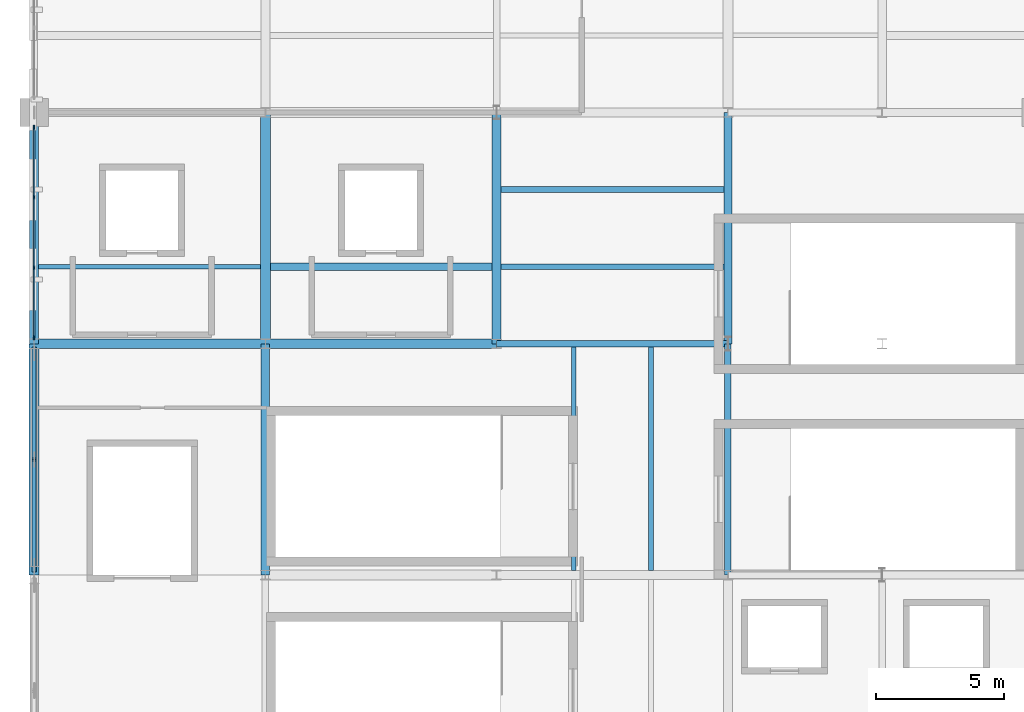
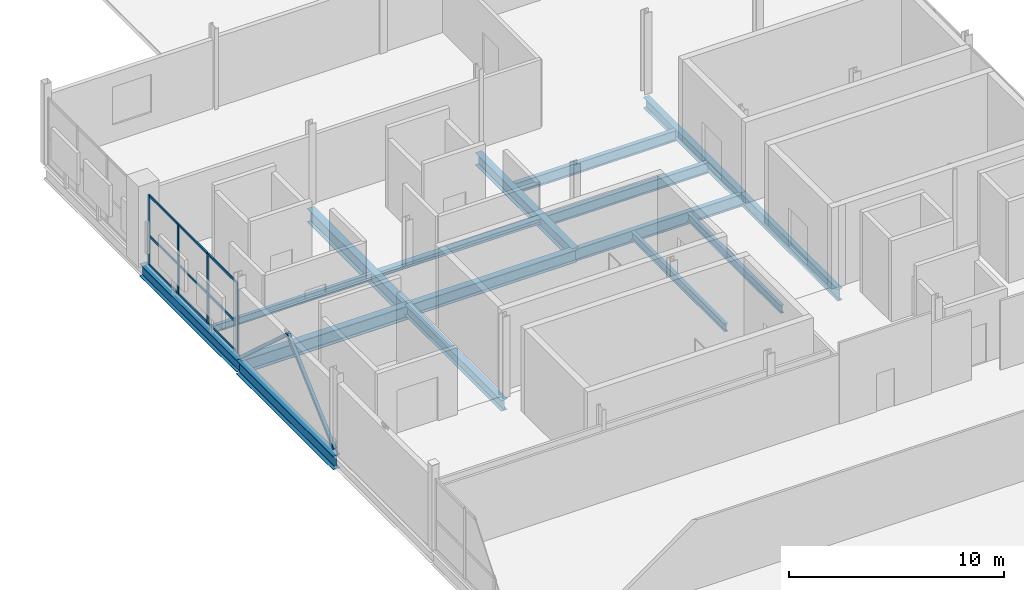
# One storey, part 17 of 29: 16 beams, 15 members, 1 element without a shape of its own.
"""IFC4 building model written with IfcOpenShell, lengths in metres."""

import ifcopenshell
import ifcopenshell.guid

model = None  # the IFC model being written
_history = None  # IfcOwnerHistory: only IFC2X3 demands one
_inside = {}  # id of a spatial element -> (the spatial element, [elements in it])
_under = {}  # id of a project, library or spatial element -> (it, [spatial elements below it])
_declared = {}  # id of a project -> (the project, [libraries it declares])
_typed = {}  # id of a type object -> (the type object, [elements of that type])
_made_of = {}  # id of a material, layer set ... -> (it, [elements and type objects made of it])


def new_model(schema):
    """Start an empty IFC model of exactly this schema.

    Asked for "IFC4X3", IfcOpenShell would pick the latest addendum, in which some entities
    have other attributes; the version numbers below select the first issue.
    IFC2X3 requires an IfcOwnerHistory on every rooted entity: one is made here for all.
    """
    global model, _history
    if schema == "IFC4X3":
        model = ifcopenshell.file(schema_version=(4, 3, 0, 0))
    else:
        model = ifcopenshell.file(schema=schema)
    _inside.clear()
    _under.clear()
    _declared.clear()
    _typed.clear()
    _made_of.clear()
    _history = None
    if model.schema == "IFC2X3":
        org = make("IfcOrganization", Name="unknown")
        user = make(
            "IfcPersonAndOrganization",
            ThePerson=make("IfcPerson", FamilyName="unknown"),
            TheOrganization=org,
        )
        app = make(
            "IfcApplication",
            ApplicationDeveloper=org,
            Version="unknown",
            ApplicationFullName="unknown",
            ApplicationIdentifier="unknown",
        )
        _history = make(
            "IfcOwnerHistory",
            OwningUser=user,
            OwningApplication=app,
            ChangeAction="ADDED",
            CreationDate=0,
        )
    return model


def make(cls, **values):
    """One entity of the class cls with the attributes given. An attribute that is None is left unset."""
    return model.create_entity(
        cls, **{name: value for name, value in values.items() if value is not None}
    )


def rooted(cls, **values):
    """An entity with a GlobalId (a new one), such as an element, a storey or a relation."""
    return make(cls, GlobalId=ifcopenshell.guid.new(), OwnerHistory=_history, **values)


def si_unit(unit_type, name, prefix=None):
    """IfcSIUnit, for example si_unit("LENGTHUNIT", "METRE", prefix="MILLI")."""
    return make("IfcSIUnit", UnitType=unit_type, Prefix=prefix, Name=name)


def assignment(units):
    """IfcUnitAssignment: the units of a project."""
    return None if units is None else make("IfcUnitAssignment", Units=units)


def point(xyz):
    """IfcCartesianPoint."""
    return None if xyz is None else make("IfcCartesianPoint", Coordinates=xyz)


def direction(xyz):
    """IfcDirection."""
    return None if xyz is None else make("IfcDirection", DirectionRatios=xyz)


def frame(location, z_axis=None, x_axis=None):
    """IfcAxis2Placement3D, a coordinate frame: its origin and axes. An axis left out is left unset."""
    return make(
        "IfcAxis2Placement3D",
        Location=point(location),
        Axis=direction(z_axis),
        RefDirection=direction(x_axis),
    )


def frame_2d(location, x_axis=None):
    """IfcAxis2Placement2D, a coordinate frame in the plane: its origin and x axis."""
    return make(
        "IfcAxis2Placement2D", Location=point(location), RefDirection=direction(x_axis)
    )


def origin():
    """The frame at (0, 0, 0) with its axes left unset."""
    return frame((0.0, 0.0, 0.0))


def origin_2d():
    """The frame at (0, 0) in the plane with its x axis left unset."""
    return frame_2d((0.0, 0.0))


def place(relative_to, where):
    """IfcLocalPlacement: puts the frame where relative to a parent placement (None: the world)."""
    return make(
        "IfcLocalPlacement", PlacementRelTo=relative_to, RelativePlacement=where
    )


def context(
    kind, dimensions, precision=None, world=None, true_north=None, identifier=None
):
    """IfcGeometricRepresentationContext, for example the 3D "Model" context."""
    return make(
        "IfcGeometricRepresentationContext",
        ContextIdentifier=identifier,
        ContextType=kind,
        CoordinateSpaceDimension=dimensions,
        Precision=precision,
        WorldCoordinateSystem=world,
        TrueNorth=true_north,
    )


def subcontext(parent, identifier, kind, view, scale=None):
    """IfcGeometricRepresentationSubContext, for example "Body" below "Model"."""
    return make(
        "IfcGeometricRepresentationSubContext",
        ContextIdentifier=identifier,
        ContextType=kind,
        ParentContext=parent,
        TargetScale=scale,
        TargetView=view,
    )


def project(units=None, contexts=None):
    """IfcProject with its units and contexts."""
    return rooted(
        "IfcProject",
        Name="project",
        RepresentationContexts=contexts,
        UnitsInContext=assignment(units),
    )


def spatial(cls, under=None, at=None, **own):
    """A site, building, storey or space (cls), placed at a placement, below another one or the project."""
    s = rooted(cls, ObjectPlacement=at, **own)
    if under is not None:
        _under.setdefault(under.id(), (under, []))[1].append(s)
    return s


def profile(cls, at=None, kind="AREA", **sizes):
    """A parametric profile (cls). Its sizes go by their IFC names, for example OverallWidth=200.0."""
    return make(cls, ProfileType=kind, Position=at, **sizes)


def rectangle(**sizes):
    """IfcRectangleProfileDef."""
    return profile("IfcRectangleProfileDef", **sizes)


def hollow_rectangle(**sizes):
    """IfcRectangleHollowProfileDef."""
    return profile("IfcRectangleHollowProfileDef", **sizes)


def i_section(**sizes):
    """IfcIShapeProfileDef."""
    return profile("IfcIShapeProfileDef", **sizes)


def extrude(swept, where, along, depth):
    """IfcExtrudedAreaSolid: the profile swept, set in the frame where, extruded along a direction by depth."""
    return make(
        "IfcExtrudedAreaSolid",
        SweptArea=swept,
        Position=where,
        ExtrudedDirection=direction(along),
        Depth=depth,
    )


def shape(context_of_items, identifier, shape_type, items):
    """IfcShapeRepresentation: the items that make up one representation, for example the "Body"."""
    return make(
        "IfcShapeRepresentation",
        ContextOfItems=context_of_items,
        RepresentationIdentifier=identifier,
        RepresentationType=shape_type,
        Items=items,
    )


def material(Name=None, Category=None):
    """IfcMaterial."""
    return make("IfcMaterial", Name=Name, Category=Category)


def layer(
    of_material, thickness, ventilated=None, Name=None, Category=None, Priority=None
):
    """IfcMaterialLayer: one layer of a wall or slab, of a material (None: an air gap)."""
    return make(
        "IfcMaterialLayer",
        Material=of_material,
        LayerThickness=thickness,
        IsVentilated=ventilated,
        Name=Name,
        Category=Category,
        Priority=Priority,
    )


def layer_set(layers, Name=None):
    """IfcMaterialLayerSet."""
    return make("IfcMaterialLayerSet", MaterialLayers=layers, LayerSetName=Name)


def material_profile(
    of_material, cross_section, Name=None, Category=None, Priority=None
):
    """IfcMaterialProfile: a cross section and its material."""
    return make(
        "IfcMaterialProfile",
        Name=Name,
        Material=of_material,
        Profile=cross_section,
        Priority=Priority,
        Category=Category,
    )


def profile_set(profiles, Name=None, composite=None):
    """IfcMaterialProfileSet."""
    return make(
        "IfcMaterialProfileSet",
        Name=Name,
        MaterialProfiles=profiles,
        CompositeProfile=composite,
    )


def made_of(thing, what):
    """Note that an element or type object is made of a material, layer set ...; save() writes the relation."""
    if what is not None:
        _made_of.setdefault(what.id(), (what, []))[1].append(thing)
    return thing


def type_object(cls, material=None, **own):
    """A type object (cls), such as IfcWallType, which elements share."""
    return made_of(rooted(cls, **own), material)


def element(
    cls,
    number,
    at=None,
    inside=None,
    cuts=None,
    type_object=None,
    material=None,
    context=None,
    identifier="Body",
    shape_type=None,
    held_by="IfcProductDefinitionShape",
    body=None,
    shapes=None,
    **own,
):
    """One element of the class cls, such as IfcWall. Its Tag is "e" and its number.

    at: its placement. inside: the storey or other place that contains it. cuts: it is an
    opening in that element (IfcRelVoidsElement). A single representation is given by context,
    identifier, shape_type and body (its items); several are given by shapes. held_by: the class
    of the entity that holds the representations. save() writes the other relations.
    """
    e = rooted(cls, Tag="e%d" % number, ObjectPlacement=at, **own)
    if body is not None:
        shapes = [shape(context, identifier, shape_type, body)]
    if shapes is not None:
        e.Representation = make(held_by, Representations=shapes)
    if inside is not None:
        _inside.setdefault(inside.id(), (inside, []))[1].append(e)
    if cuts is not None:
        rooted(
            "IfcRelVoidsElement", RelatingBuildingElement=cuts, RelatedOpeningElement=e
        )
    if type_object is not None:
        _typed.setdefault(type_object.id(), (type_object, []))[1].append(e)
    return made_of(e, material)


def aggregate(whole, parts):
    """IfcRelAggregates: a whole, such as a stair, and the parts it consists of."""
    return rooted("IfcRelAggregates", RelatingObject=whole, RelatedObjects=parts)


def save(model, path):
    """Write the relations noted so far, then the file.

    IfcRelAggregates (storeys below a building ...), IfcRelContainedInSpatialStructure (elements
    in a storey), IfcRelDefinesByType, IfcRelAssociatesMaterial and IfcRelDeclares: one each for
    every whole, place, type object, material and project.
    """
    for whole, parts in _under.values():
        aggregate(whole, parts)
    for where, things in _inside.values():
        rooted(
            "IfcRelContainedInSpatialStructure",
            RelatedElements=things,
            RelatingStructure=where,
        )
    for kind, things in _typed.values():
        rooted("IfcRelDefinesByType", RelatedObjects=things, RelatingType=kind)
    for what, things in _made_of.values():
        rooted("IfcRelAssociatesMaterial", RelatedObjects=things, RelatingMaterial=what)
    for by, libraries in _declared.values():
        rooted("IfcRelDeclares", RelatingContext=by, RelatedDefinitions=libraries)
    model.write(path)


model = new_model("IFC4")

# Units and contexts
model_context = context("Model", 3, precision=1e-05, world=origin(), true_north=direction((0.0, 1.0)))
body_context = subcontext(model_context, "Body", "Model", "MODEL_VIEW")
ifc_project = project(units=[si_unit("LENGTHUNIT", "METRE"), si_unit("AREAUNIT", "SQUARE_METRE"), si_unit("VOLUMEUNIT", "CUBIC_METRE"), si_unit("PLANEANGLEUNIT", "RADIAN"), si_unit("MASSUNIT", "GRAM", prefix="KILO")], contexts=[model_context])

# Site, building, storey
site_placement = place(None, origin())
site = spatial("IfcSite", under=ifc_project, at=site_placement, CompositionType="ELEMENT")
building_placement = place(site_placement, origin())
building = spatial("IfcBuilding", under=site, at=building_placement, Name="Qamarlyn Nura Convention Centre", CompositionType="ELEMENT")
storey_placement = place(building_placement, frame((0.0, 0.0, 25.199951171875)))
storey = spatial("IfcBuildingStorey", under=building, at=storey_placement, Name="L05", CompositionType="ELEMENT", Elevation=25.199951171875)

# Beams
ifc_material_1 = material(Name="Steel ASTM A992", Category="steel")
ifc_material_profile_1 = material_profile(ifc_material_1, i_section(OverallWidth=0.323974609375, OverallDepth=0.611083984375, WebThickness=0.0126953125, FlangeThickness=0.01904296875, FilletRadius=0.01611328125, at=origin_2d()), Name="W610X155")
ifc_profile_set_1 = profile_set([ifc_material_profile_1], Name="Steel ASTM A992")
beam_type_1 = type_object("IfcBeamType", Name="BM-GIRD-610", PredefinedType="BEAM", material=ifc_profile_set_1)
for number, where, z_axis, x_axis, name in (
    (1, (162.0, 63.0, -0.54541015625), (0.0, 1.0, 0.0), (-1.0, 0.0, 0.0), "L05 girder 14 H-J"),
    (2, (180.0, 72.0, -0.54541015625), (0.0, 1.0, 0.0), (-1.0, 0.0, 0.0), "L05 girder 16 J-K"),
):
    element("IfcBeam", number, at=place(storey_placement, frame(where, z_axis=z_axis, x_axis=x_axis)), inside=storey, type_object=beam_type_1, Name=name, PredefinedType="BEAM", context=body_context, shape_type="SweptSolid", body=[
        extrude(i_section(OverallWidth=0.323974609375, OverallDepth=0.611083984375, WebThickness=0.0126953125, FlangeThickness=0.01904296875, FilletRadius=0.01611328125, at=origin_2d()), origin(), (0.0, 0.0, 1.0), 9.0),
    ])
ifc_material_profile_2 = material_profile(ifc_material_1, i_section(OverallWidth=0.35498046875, OverallDepth=0.695068359375, WebThickness=0.015380859375, FlangeThickness=0.02490234375, FilletRadius=0.01806640625, at=origin_2d()), Name="W690X217")
ifc_profile_set_2 = profile_set([ifc_material_profile_2], Name="Steel ASTM A992")
beam_type_2 = type_object("IfcBeamType", Name="BM-GIRD-690A", PredefinedType="BEAM", material=ifc_profile_set_2)
for number, where, z_axis, x_axis, name in (
    (3, (162.0, 72.0, -0.58740234375), (1.0, 0.0, 0.0), (0.0, 1.0, 0.0), "L05 girder J 14-15"),
    (4, (153.0, 72.0, -0.58740234375), (0.0, 1.0, 0.0), (-1.0, 0.0, 0.0), "L05 girder 13 J-K"),
    (5, (171.0, 72.0, -0.58740234375), (0.0, 1.0, 0.0), (-1.0, 0.0, 0.0), "L05 girder 15 J-K"),
):
    element("IfcBeam", number, at=place(storey_placement, frame(where, z_axis=z_axis, x_axis=x_axis)), inside=storey, type_object=beam_type_2, Name=name, PredefinedType="BEAM", context=body_context, shape_type="SweptSolid", body=[
        extrude(i_section(OverallWidth=0.35498046875, OverallDepth=0.695068359375, WebThickness=0.015380859375, FlangeThickness=0.02490234375, FilletRadius=0.01806640625, at=origin_2d()), origin(), (0.0, 0.0, 1.0), 9.0),
    ])
ifc_material_profile_3 = material_profile(ifc_material_1, i_section(OverallWidth=0.25390625, OverallDepth=0.68408203125, WebThickness=0.012451171875, FlangeThickness=0.01904296875, FilletRadius=0.01806640625, at=origin_2d()), Name="W690X140")
ifc_profile_set_3 = profile_set([ifc_material_profile_3], Name="Steel ASTM A992")
beam_type_3 = type_object("IfcBeamType", Name="BM-GIRD-690B", PredefinedType="BEAM", material=ifc_profile_set_3)
for number, where, z_axis, x_axis, name in (
    (6, (171.0, 72.0, -0.58203125), (1.0, 0.0, 0.0), (0.0, 1.0, 0.0), "L05 girder J 15-16"),
    (7, (180.0, 63.0, -0.58203125), (0.0, 1.0, 0.0), (-1.0, 0.0, 0.0), "L05 girder 16 H-J"),
):
    element("IfcBeam", number, at=place(storey_placement, frame(where, z_axis=z_axis, x_axis=x_axis)), inside=storey, type_object=beam_type_3, Name=name, PredefinedType="BEAM", context=body_context, shape_type="SweptSolid", body=[
        extrude(i_section(OverallWidth=0.25390625, OverallDepth=0.68408203125, WebThickness=0.012451171875, FlangeThickness=0.01904296875, FilletRadius=0.01806640625, at=origin_2d()), origin(), (0.0, 0.0, 1.0), 9.0),
    ])
ifc_material_profile_4 = material_profile(ifc_material_1, i_section(OverallWidth=0.381103515625, OverallDepth=0.77294921875, WebThickness=0.0166015625, FlangeThickness=0.027587890625, FilletRadius=0.02001953125, at=origin_2d()), Name="W760X257")
ifc_profile_set_4 = profile_set([ifc_material_profile_4], Name="Steel ASTM A992")
beam_type_4 = type_object("IfcBeamType", Name="BM-GIRD-760", PredefinedType="BEAM", material=ifc_profile_set_4)
for number, where, z_axis, x_axis, name in (
    (8, (153.0, 72.0, -0.62646484375), (1.0, 0.0, 0.0), (0.0, 1.0, 0.0), "L05 girder J 13-14"),
    (9, (153.0, 63.0, -0.62646484375), (0.0, 1.0, 0.0), (-1.0, 0.0, 0.0), "L05 girder 13 H-J"),
    (10, (162.0, 72.0, -0.62646484375), (0.0, 1.0, 0.0), (-1.0, 0.0, 0.0), "L05 girder 14 J-K"),
):
    element("IfcBeam", number, at=place(storey_placement, frame(where, z_axis=z_axis, x_axis=x_axis)), inside=storey, type_object=beam_type_4, Name=name, PredefinedType="BEAM", context=body_context, shape_type="SweptSolid", body=[
        extrude(i_section(OverallWidth=0.381103515625, OverallDepth=0.77294921875, WebThickness=0.0166015625, FlangeThickness=0.027587890625, FilletRadius=0.02001953125, at=origin_2d()), origin(), (0.0, 0.0, 1.0), 9.0),
    ])
ifc_material_profile_5 = material_profile(ifc_material_1, i_section(OverallWidth=0.304931640625, OverallDepth=0.30810546875, WebThickness=0.010009765625, FlangeThickness=0.015380859375, FilletRadius=0.014892578125, at=origin_2d()), Name="W310X97")
ifc_profile_set_5 = profile_set([ifc_material_profile_5], Name="Steel ASTM A992")
beam_type_5 = type_object("IfcBeamType", Name="BM-JOIST-310", PredefinedType="JOIST", material=ifc_profile_set_5)
beam_1_placement = place(storey_placement, frame((162.1904296875, 75.0, -0.39404296875), z_axis=(1.0, 0.0, 0.0), x_axis=(0.0, 1.0, 0.0)))
element("IfcBeam", 11, at=beam_1_placement, inside=storey, type_object=beam_type_5, Name="L05 composite joist 14-15/J+1", PredefinedType="JOIST", context=body_context, shape_type="SweptSolid", body=[
    extrude(i_section(OverallWidth=0.304931640625, OverallDepth=0.30810546875, WebThickness=0.010009765625, FlangeThickness=0.015380859375, FilletRadius=0.014892578125, at=origin_2d()), origin(), (0.0, 0.0, 1.0), 8.632080078125),
])
ifc_material_profile_6 = material_profile(ifc_material_1, i_section(OverallWidth=0.177978515625, OverallDepth=0.406982421875, WebThickness=0.0078125, FlangeThickness=0.0126953125, FilletRadius=0.011962890625, at=origin_2d()), Name="W410X60")
ifc_profile_set_6 = profile_set([ifc_material_profile_6], Name="Steel ASTM A992")
beam_type_6 = type_object("IfcBeamType", Name="BM-JOIST-410", PredefinedType="JOIST", material=ifc_profile_set_6)
beam_2_placement = place(storey_placement, frame((153.177490234375, 75.0, -0.443359375), z_axis=(1.0, 0.0, 0.0), x_axis=(0.0, 1.0, 0.0)))
element("IfcBeam", 12, at=beam_2_placement, inside=storey, type_object=beam_type_6, Name="L05 composite joist 13-14/J+1", PredefinedType="JOIST", context=body_context, shape_type="SweptSolid", body=[
    extrude(i_section(OverallWidth=0.177978515625, OverallDepth=0.406982421875, WebThickness=0.0078125, FlangeThickness=0.0126953125, FilletRadius=0.011962890625, at=origin_2d()), origin(), (0.0, 0.0, 1.0), 8.632080078125),
])
ifc_material_profile_7 = material_profile(ifc_material_1, i_section(OverallWidth=0.18994140625, OverallDepth=0.45703125, WebThickness=0.009033203125, FlangeThickness=0.014404296875, FilletRadius=0.012939453125, at=origin_2d()), Name="W460X74")
ifc_profile_set_7 = profile_set([ifc_material_profile_7], Name="Steel ASTM A992")
beam_type_7 = type_object("IfcBeamType", Name="BM-JOIST-460", PredefinedType="JOIST", material=ifc_profile_set_7)
for number, where, z_axis, x_axis, name in (
    (13, (174.0, 63.177490234375, -0.468505859375), (0.0, 1.0, 0.0), (-1.0, 0.0, 0.0), "L05 secondary joist 15-16/H-J-27"),
    (14, (177.0, 63.177490234375, -0.468505859375), (0.0, 1.0, 0.0), (-1.0, 0.0, 0.0), "L05 secondary joist 15-16/H-J-28"),
):
    element("IfcBeam", number, at=place(storey_placement, frame(where, z_axis=z_axis, x_axis=x_axis)), inside=storey, type_object=beam_type_7, Name=name, PredefinedType="JOIST", context=body_context, shape_type="SweptSolid", body=[
        extrude(i_section(OverallWidth=0.18994140625, OverallDepth=0.45703125, WebThickness=0.009033203125, FlangeThickness=0.014404296875, FilletRadius=0.012939453125, at=origin_2d()), origin(), (0.0, 0.0, 1.0), 8.695556640625),
    ])
ifc_material_profile_8 = material_profile(ifc_material_1, i_section(OverallWidth=0.22802734375, OverallDepth=0.60791015625, WebThickness=0.01123046875, FlangeThickness=0.017333984375, FilletRadius=0.01611328125, at=origin_2d()), Name="W610X113")
ifc_profile_set_8 = profile_set([ifc_material_profile_8], Name="Steel ASTM A992")
beam_type_8 = type_object("IfcBeamType", Name="BM-JOIST-610", PredefinedType="JOIST", material=ifc_profile_set_8)
for number, where, z_axis, x_axis, name in (
    (15, (171.177490234375, 75.0, -0.5439453125), (1.0, 0.0, 0.0), (0.0, 1.0, 0.0), "L05 composite joist 15-16/J+1"),
    (16, (171.177490234375, 78.0, -0.5439453125), (1.0, 0.0, 0.0), (0.0, 1.0, 0.0), "L05 composite joist 15-16/J+2"),
):
    element("IfcBeam", number, at=place(storey_placement, frame(where, z_axis=z_axis, x_axis=x_axis)), inside=storey, type_object=beam_type_8, Name=name, PredefinedType="JOIST", context=body_context, shape_type="SweptSolid", body=[
        extrude(i_section(OverallWidth=0.22802734375, OverallDepth=0.60791015625, WebThickness=0.01123046875, FlangeThickness=0.017333984375, FilletRadius=0.01611328125, at=origin_2d()), origin(), (0.0, 0.0, 1.0), 8.660400390625),
    ])

# Members
ifc_material_2 = material(Name="Steel ASTM A500 Grade C", Category="steel")
ifc_material_profile_9 = material_profile(ifc_material_2, hollow_rectangle(XDim=0.179931640625, YDim=0.179931640625, WallThickness=0.008056640625, InnerFilletRadius=0.008056640625, OuterFilletRadius=0.01611328125, at=origin_2d()), Name="HSS180X180X8")
ifc_profile_set_9 = profile_set([ifc_material_profile_9], Name="Steel ASTM A500 Grade C")
member_type_1 = type_object("IfcMemberType", Name="CBF-BRC-180", PredefinedType="BRACE", material=ifc_profile_set_9)
for number, where, z_axis, x_axis, name in (
    (17, (153.0, 63.179931640625, 0.0), (0.0, 0.741322351539, 0.671149142224), (-1.0, 0.0, 0.0), "L05 SCBF chevron brace CBF-E2L"),
    (18, (153.0, 71.820068359375, 0.0), (0.0, -0.741322351539, 0.671149142224), (1.0, 0.0, 0.0), "L05 SCBF chevron brace CBF-E2R"),
):
    element("IfcMember", number, at=place(storey_placement, frame(where, z_axis=z_axis, x_axis=x_axis)), inside=storey, type_object=member_type_1, Name=name, PredefinedType="BRACE", context=body_context, shape_type="SweptSolid", body=[
        extrude(hollow_rectangle(XDim=0.179931640625, YDim=0.179931640625, WallThickness=0.008056640625, InnerFilletRadius=0.008056640625, OuterFilletRadius=0.01611328125, at=origin_2d()), origin(), (0.0, 0.0, 1.0), 5.82763671875),
    ])

# Curtain wall, members
ifc_material_3 = material(Name="Double-silver low-E insulated glass", Category="glass")
ifc_layer = layer(ifc_material_3, 0.179931640625, Name="CW-UNIT-161")
ifc_layer_set = layer_set([ifc_layer], Name="Double-silver low-E insulated glass")
curtain_wall_type = type_object("IfcCurtainWallType", Name="CW-UNIT-161", PredefinedType="NOTDEFINED", material=ifc_layer_set)
curtain_wall_placement = place(storey_placement, origin())
curtain_wall = element("IfcCurtainWall", 19, at=curtain_wall_placement, inside=storey, type_object=curtain_wall_type, Name="L05 unitised curtain wall CRT-72-1", PredefinedType="NOTDEFINED")
ifc_material_4 = material(Name="Champagne-anodised marine aluminium", Category="aluminium")
ifc_material_profile_10 = material_profile(ifc_material_4, rectangle(XDim=0.06494140625, YDim=0.159912109375, at=origin_2d()), Name="ALU MULLION 65x160")
ifc_profile_set_10 = profile_set([ifc_material_profile_10], Name="Champagne-anodised marine aluminium")
member_type_2 = type_object("IfcMemberType", Name="CWM-160", PredefinedType="MULLION", material=ifc_profile_set_10)
member_1_placement = place(storey_placement, frame((153.0, 72.2451171875, 0.0), z_axis=(0.0, 0.0, 1.0), x_axis=(-1.0, 0.0, 0.0)))
member_1 = element("IfcMember", 20, at=member_1_placement, type_object=member_type_2, Name="CW161 mullion 1", PredefinedType="MULLION", context=body_context, shape_type="SweptSolid", body=[
    extrude(rectangle(XDim=0.06494140625, YDim=0.159912109375, at=origin_2d()), origin(), (0.0, 0.0, 1.0), 3.968994140625),
])
member_2_placement = place(storey_placement, frame((153.0, 74.958251953125, 0.0), z_axis=(0.0, 0.0, 1.0), x_axis=(-1.0, 0.0, 0.0)))
member_2 = element("IfcMember", 21, at=member_2_placement, type_object=member_type_2, Name="CW161 mullion 2", PredefinedType="MULLION", context=body_context, shape_type="SweptSolid", body=[
    extrude(rectangle(XDim=0.06494140625, YDim=0.159912109375, at=origin_2d()), origin(), (0.0, 0.0, 1.0), 3.968994140625),
])
member_3_placement = place(storey_placement, frame((153.0, 77.7041015625, 0.0), z_axis=(0.0, 0.0, 1.0), x_axis=(-1.0, 0.0, 0.0)))
member_3 = element("IfcMember", 22, at=member_3_placement, type_object=member_type_2, Name="CW161 mullion 3", PredefinedType="MULLION", context=body_context, shape_type="SweptSolid", body=[
    extrude(rectangle(XDim=0.06494140625, YDim=0.159912109375, at=origin_2d()), origin(), (0.0, 0.0, 1.0), 3.968994140625),
])
member_4_placement = place(storey_placement, frame((153.0, 80.41748046875, 0.0), z_axis=(0.0, 0.0, 1.0), x_axis=(-1.0, 0.0, 0.0)))
member_4 = element("IfcMember", 23, at=member_4_placement, type_object=member_type_2, Name="CW161 mullion 4", PredefinedType="MULLION", context=body_context, shape_type="SweptSolid", body=[
    extrude(rectangle(XDim=0.06494140625, YDim=0.159912109375, at=origin_2d()), origin(), (0.0, 0.0, 1.0), 3.968994140625),
])
ifc_material_profile_11 = material_profile(ifc_material_4, rectangle(XDim=0.06494140625, YDim=0.1201171875, at=origin_2d()), Name="ALU TRANSOM 65x120")
ifc_profile_set_11 = profile_set([ifc_material_profile_11], Name="Champagne-anodised marine aluminium")
member_type_3 = type_object("IfcMemberType", Name="CWT-120", PredefinedType="USERDEFINED", material=ifc_profile_set_11)
member_5_placement = place(storey_placement, frame((153.0, 72.277587890625, 0.032470703125), z_axis=(0.0, 1.0, 0.0), x_axis=(-1.0, 0.0, 0.0)))
member_5 = element("IfcMember", 24, at=member_5_placement, type_object=member_type_3, Name="CW161 transom 1.1", ObjectType="TRANSOM", PredefinedType="USERDEFINED", context=body_context, shape_type="SweptSolid", body=[
    extrude(rectangle(XDim=0.06494140625, YDim=0.1201171875, at=origin_2d()), origin(), (0.0, 0.0, 1.0), 2.648193359375),
])
member_6_placement = place(storey_placement, frame((153.0, 72.277587890625, 1.6669921875), z_axis=(0.0, 1.0, 0.0), x_axis=(-1.0, 0.0, 0.0)))
member_6 = element("IfcMember", 25, at=member_6_placement, type_object=member_type_3, Name="CW161 transom 1.2", ObjectType="TRANSOM", PredefinedType="USERDEFINED", context=body_context, shape_type="SweptSolid", body=[
    extrude(rectangle(XDim=0.06494140625, YDim=0.1201171875, at=origin_2d()), origin(), (0.0, 0.0, 1.0), 2.648193359375),
])
member_7_placement = place(storey_placement, frame((153.0, 72.277587890625, 3.9365234375), z_axis=(0.0, 1.0, 0.0), x_axis=(-1.0, 0.0, 0.0)))
member_7 = element("IfcMember", 26, at=member_7_placement, type_object=member_type_3, Name="CW161 transom 1.3", ObjectType="TRANSOM", PredefinedType="USERDEFINED", context=body_context, shape_type="SweptSolid", body=[
    extrude(rectangle(XDim=0.06494140625, YDim=0.1201171875, at=origin_2d()), origin(), (0.0, 0.0, 1.0), 2.648193359375),
])
member_8_placement = place(storey_placement, frame((153.0, 74.99072265625, 0.032470703125), z_axis=(0.0, 1.0, 0.0), x_axis=(-1.0, 0.0, 0.0)))
member_8 = element("IfcMember", 27, at=member_8_placement, type_object=member_type_3, Name="CW161 transom 2.1", ObjectType="TRANSOM", PredefinedType="USERDEFINED", context=body_context, shape_type="SweptSolid", body=[
    extrude(rectangle(XDim=0.06494140625, YDim=0.1201171875, at=origin_2d()), origin(), (0.0, 0.0, 1.0), 2.680908203125),
])
member_9_placement = place(storey_placement, frame((153.0, 74.99072265625, 1.6669921875), z_axis=(0.0, 1.0, 0.0), x_axis=(-1.0, 0.0, 0.0)))
member_9 = element("IfcMember", 28, at=member_9_placement, type_object=member_type_3, Name="CW161 transom 2.2", ObjectType="TRANSOM", PredefinedType="USERDEFINED", context=body_context, shape_type="SweptSolid", body=[
    extrude(rectangle(XDim=0.06494140625, YDim=0.1201171875, at=origin_2d()), origin(), (0.0, 0.0, 1.0), 2.680908203125),
])
member_10_placement = place(storey_placement, frame((153.0, 74.99072265625, 3.9365234375), z_axis=(0.0, 1.0, 0.0), x_axis=(-1.0, 0.0, 0.0)))
member_10 = element("IfcMember", 29, at=member_10_placement, type_object=member_type_3, Name="CW161 transom 2.3", ObjectType="TRANSOM", PredefinedType="USERDEFINED", context=body_context, shape_type="SweptSolid", body=[
    extrude(rectangle(XDim=0.06494140625, YDim=0.1201171875, at=origin_2d()), origin(), (0.0, 0.0, 1.0), 2.680908203125),
])
member_11_placement = place(storey_placement, frame((153.0, 77.736572265625, 0.032470703125), z_axis=(0.0, 1.0, 0.0), x_axis=(-1.0, 0.0, 0.0)))
member_11 = element("IfcMember", 30, at=member_11_placement, type_object=member_type_3, Name="CW161 transom 3.1", ObjectType="TRANSOM", PredefinedType="USERDEFINED", context=body_context, shape_type="SweptSolid", body=[
    extrude(rectangle(XDim=0.06494140625, YDim=0.1201171875, at=origin_2d()), origin(), (0.0, 0.0, 1.0), 2.6484375),
])
member_12_placement = place(storey_placement, frame((153.0, 77.736572265625, 1.6669921875), z_axis=(0.0, 1.0, 0.0), x_axis=(-1.0, 0.0, 0.0)))
member_12 = element("IfcMember", 31, at=member_12_placement, type_object=member_type_3, Name="CW161 transom 3.2", ObjectType="TRANSOM", PredefinedType="USERDEFINED", context=body_context, shape_type="SweptSolid", body=[
    extrude(rectangle(XDim=0.06494140625, YDim=0.1201171875, at=origin_2d()), origin(), (0.0, 0.0, 1.0), 2.6484375),
])
member_13_placement = place(storey_placement, frame((153.0, 77.736572265625, 3.9365234375), z_axis=(0.0, 1.0, 0.0), x_axis=(-1.0, 0.0, 0.0)))
member_13 = element("IfcMember", 32, at=member_13_placement, type_object=member_type_3, Name="CW161 transom 3.3", ObjectType="TRANSOM", PredefinedType="USERDEFINED", context=body_context, shape_type="SweptSolid", body=[
    extrude(rectangle(XDim=0.06494140625, YDim=0.1201171875, at=origin_2d()), origin(), (0.0, 0.0, 1.0), 2.6484375),
])
aggregate(curtain_wall, [member_1, member_2, member_3, member_4, member_5, member_6, member_7, member_8, member_9, member_10, member_11, member_12, member_13])

save(model, "model.ifc")
